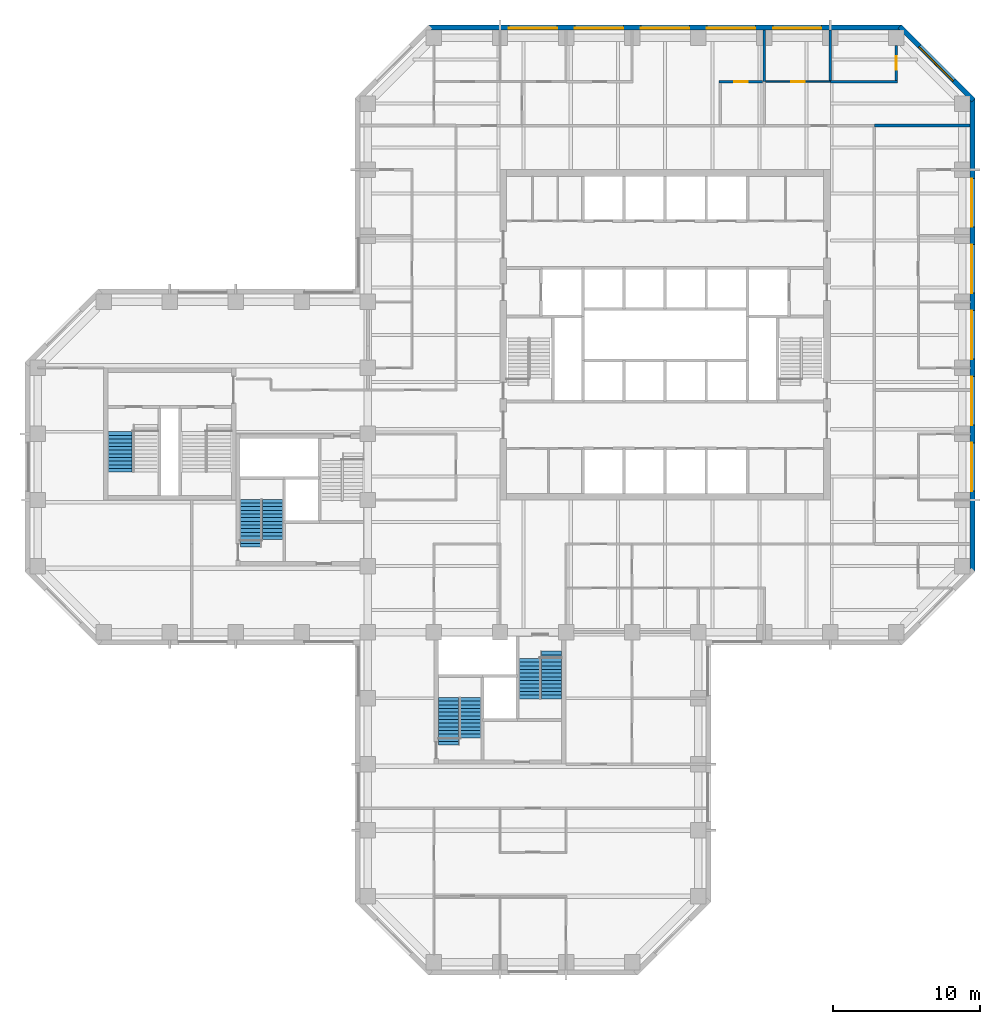
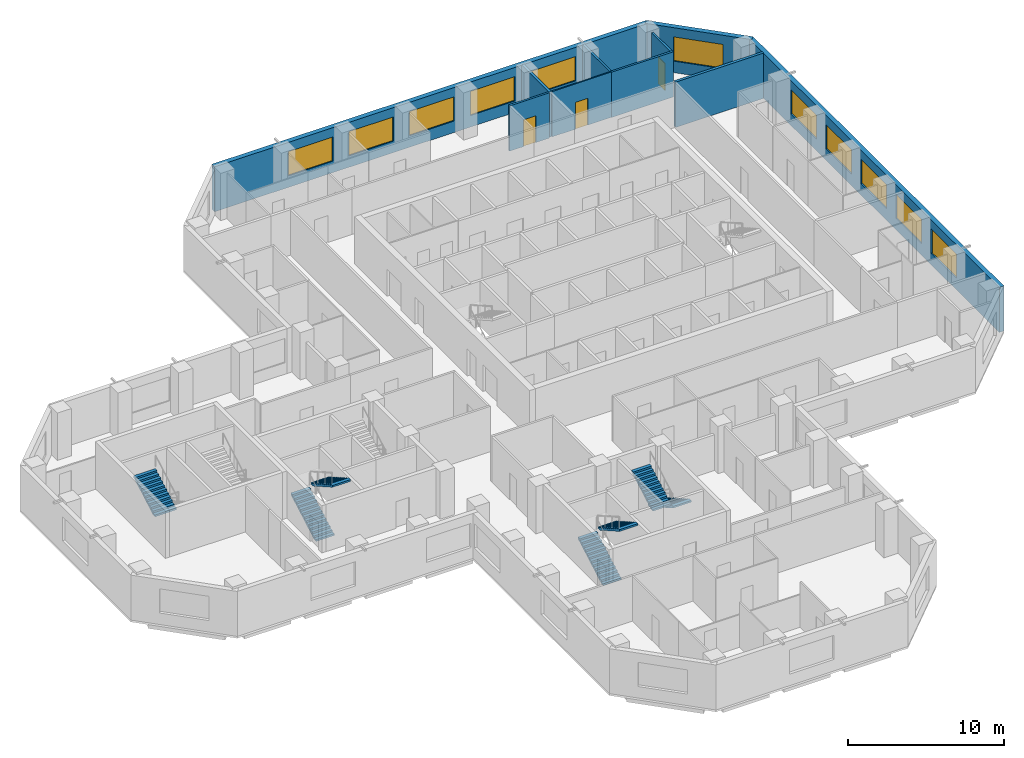
# One storey, part 9 of 11: 11 windows, 10 walls, 7 stair flights, 3 doors, 14 openings, 4 elements without a shape of their own.
"""IFC4 building model written with IfcOpenShell, lengths in metres."""

import ifcopenshell
import ifcopenshell.guid

model = None  # the IFC model being written
_history = None  # IfcOwnerHistory: only IFC2X3 demands one
_inside = {}  # id of a spatial element -> (the spatial element, [elements in it])
_under = {}  # id of a project, library or spatial element -> (it, [spatial elements below it])
_declared = {}  # id of a project -> (the project, [libraries it declares])
_typed = {}  # id of a type object -> (the type object, [elements of that type])
_made_of = {}  # id of a material, layer set ... -> (it, [elements and type objects made of it])


def new_model(schema):
    """Start an empty IFC model of exactly this schema.

    Asked for "IFC4X3", IfcOpenShell would pick the latest addendum, in which some entities
    have other attributes; the version numbers below select the first issue.
    IFC2X3 requires an IfcOwnerHistory on every rooted entity: one is made here for all.
    """
    global model, _history
    if schema == "IFC4X3":
        model = ifcopenshell.file(schema_version=(4, 3, 0, 0))
    else:
        model = ifcopenshell.file(schema=schema)
    _inside.clear()
    _under.clear()
    _declared.clear()
    _typed.clear()
    _made_of.clear()
    _history = None
    if model.schema == "IFC2X3":
        org = make("IfcOrganization", Name="unknown")
        user = make(
            "IfcPersonAndOrganization",
            ThePerson=make("IfcPerson", FamilyName="unknown"),
            TheOrganization=org,
        )
        app = make(
            "IfcApplication",
            ApplicationDeveloper=org,
            Version="unknown",
            ApplicationFullName="unknown",
            ApplicationIdentifier="unknown",
        )
        _history = make(
            "IfcOwnerHistory",
            OwningUser=user,
            OwningApplication=app,
            ChangeAction="ADDED",
            CreationDate=0,
        )
    return model


def make(cls, **values):
    """One entity of the class cls with the attributes given. An attribute that is None is left unset."""
    return model.create_entity(
        cls, **{name: value for name, value in values.items() if value is not None}
    )


def rooted(cls, **values):
    """An entity with a GlobalId (a new one), such as an element, a storey or a relation."""
    return make(cls, GlobalId=ifcopenshell.guid.new(), OwnerHistory=_history, **values)


def si_unit(unit_type, name, prefix=None):
    """IfcSIUnit, for example si_unit("LENGTHUNIT", "METRE", prefix="MILLI")."""
    return make("IfcSIUnit", UnitType=unit_type, Prefix=prefix, Name=name)


def assignment(units):
    """IfcUnitAssignment: the units of a project."""
    return None if units is None else make("IfcUnitAssignment", Units=units)


def point(xyz):
    """IfcCartesianPoint."""
    return None if xyz is None else make("IfcCartesianPoint", Coordinates=xyz)


def direction(xyz):
    """IfcDirection."""
    return None if xyz is None else make("IfcDirection", DirectionRatios=xyz)


def frame(location, z_axis=None, x_axis=None):
    """IfcAxis2Placement3D, a coordinate frame: its origin and axes. An axis left out is left unset."""
    return make(
        "IfcAxis2Placement3D",
        Location=point(location),
        Axis=direction(z_axis),
        RefDirection=direction(x_axis),
    )


def frame_2d(location, x_axis=None):
    """IfcAxis2Placement2D, a coordinate frame in the plane: its origin and x axis."""
    return make(
        "IfcAxis2Placement2D", Location=point(location), RefDirection=direction(x_axis)
    )


def origin():
    """The frame at (0, 0, 0) with its axes left unset."""
    return frame((0.0, 0.0, 0.0))


def place(relative_to, where):
    """IfcLocalPlacement: puts the frame where relative to a parent placement (None: the world)."""
    return make(
        "IfcLocalPlacement", PlacementRelTo=relative_to, RelativePlacement=where
    )


def context(
    kind, dimensions, precision=None, world=None, true_north=None, identifier=None
):
    """IfcGeometricRepresentationContext, for example the 3D "Model" context."""
    return make(
        "IfcGeometricRepresentationContext",
        ContextIdentifier=identifier,
        ContextType=kind,
        CoordinateSpaceDimension=dimensions,
        Precision=precision,
        WorldCoordinateSystem=world,
        TrueNorth=true_north,
    )


def subcontext(parent, identifier, kind, view, scale=None):
    """IfcGeometricRepresentationSubContext, for example "Body" below "Model"."""
    return make(
        "IfcGeometricRepresentationSubContext",
        ContextIdentifier=identifier,
        ContextType=kind,
        ParentContext=parent,
        TargetScale=scale,
        TargetView=view,
    )


def project(units=None, contexts=None):
    """IfcProject with its units and contexts."""
    return rooted(
        "IfcProject",
        Name="project",
        RepresentationContexts=contexts,
        UnitsInContext=assignment(units),
    )


def spatial(cls, under=None, at=None, **own):
    """A site, building, storey or space (cls), placed at a placement, below another one or the project."""
    s = rooted(cls, ObjectPlacement=at, **own)
    if under is not None:
        _under.setdefault(under.id(), (under, []))[1].append(s)
    return s


def polyline(points):
    """IfcPolyline through the points."""
    return make("IfcPolyline", Points=[point(p) for p in points])


def profile(cls, at=None, kind="AREA", **sizes):
    """A parametric profile (cls). Its sizes go by their IFC names, for example OverallWidth=200.0."""
    return make(cls, ProfileType=kind, Position=at, **sizes)


def rectangle(**sizes):
    """IfcRectangleProfileDef."""
    return profile("IfcRectangleProfileDef", **sizes)


def outline(outer, holes=None, kind="AREA"):
    """IfcArbitraryClosedProfileDef: a profile drawn as a closed curve; with holes, ...WithVoids."""
    if holes is None:
        return make("IfcArbitraryClosedProfileDef", ProfileType=kind, OuterCurve=outer)
    return make(
        "IfcArbitraryProfileDefWithVoids",
        ProfileType=kind,
        OuterCurve=outer,
        InnerCurves=holes,
    )


def extrude(swept, where, along, depth):
    """IfcExtrudedAreaSolid: the profile swept, set in the frame where, extruded along a direction by depth."""
    return make(
        "IfcExtrudedAreaSolid",
        SweptArea=swept,
        Position=where,
        ExtrudedDirection=direction(along),
        Depth=depth,
    )


def shape(context_of_items, identifier, shape_type, items):
    """IfcShapeRepresentation: the items that make up one representation, for example the "Body"."""
    return make(
        "IfcShapeRepresentation",
        ContextOfItems=context_of_items,
        RepresentationIdentifier=identifier,
        RepresentationType=shape_type,
        Items=items,
    )


def material(Name=None, Category=None):
    """IfcMaterial."""
    return make("IfcMaterial", Name=Name, Category=Category)


def layer(
    of_material, thickness, ventilated=None, Name=None, Category=None, Priority=None
):
    """IfcMaterialLayer: one layer of a wall or slab, of a material (None: an air gap)."""
    return make(
        "IfcMaterialLayer",
        Material=of_material,
        LayerThickness=thickness,
        IsVentilated=ventilated,
        Name=Name,
        Category=Category,
        Priority=Priority,
    )


def layer_set(layers, Name=None):
    """IfcMaterialLayerSet."""
    return make("IfcMaterialLayerSet", MaterialLayers=layers, LayerSetName=Name)


def constituent(of_material, Name=None, Category=None, fraction=None):
    """IfcMaterialConstituent: one of the materials an element consists of."""
    return make(
        "IfcMaterialConstituent",
        Name=Name,
        Material=of_material,
        Fraction=fraction,
        Category=Category,
    )


def constituent_set(constituents=None, Name=None):
    """IfcMaterialConstituentSet."""
    return make(
        "IfcMaterialConstituentSet", Name=Name, MaterialConstituents=constituents
    )


def made_of(thing, what):
    """Note that an element or type object is made of a material, layer set ...; save() writes the relation."""
    if what is not None:
        _made_of.setdefault(what.id(), (what, []))[1].append(thing)
    return thing


def type_object(cls, material=None, **own):
    """A type object (cls), such as IfcWallType, which elements share."""
    return made_of(rooted(cls, **own), material)


def element(
    cls,
    number,
    at=None,
    inside=None,
    cuts=None,
    type_object=None,
    material=None,
    context=None,
    identifier="Body",
    shape_type=None,
    held_by="IfcProductDefinitionShape",
    body=None,
    shapes=None,
    **own,
):
    """One element of the class cls, such as IfcWall. Its Tag is "e" and its number.

    at: its placement. inside: the storey or other place that contains it. cuts: it is an
    opening in that element (IfcRelVoidsElement). A single representation is given by context,
    identifier, shape_type and body (its items); several are given by shapes. held_by: the class
    of the entity that holds the representations. save() writes the other relations.
    """
    e = rooted(cls, Tag="e%d" % number, ObjectPlacement=at, **own)
    if body is not None:
        shapes = [shape(context, identifier, shape_type, body)]
    if shapes is not None:
        e.Representation = make(held_by, Representations=shapes)
    if inside is not None:
        _inside.setdefault(inside.id(), (inside, []))[1].append(e)
    if cuts is not None:
        rooted(
            "IfcRelVoidsElement", RelatingBuildingElement=cuts, RelatedOpeningElement=e
        )
    if type_object is not None:
        _typed.setdefault(type_object.id(), (type_object, []))[1].append(e)
    return made_of(e, material)


def fill(opening, filler):
    """IfcRelFillsElement: the door or window that sits in an opening."""
    return rooted(
        "IfcRelFillsElement",
        RelatingOpeningElement=opening,
        RelatedBuildingElement=filler,
    )


def aggregate(whole, parts):
    """IfcRelAggregates: a whole, such as a stair, and the parts it consists of."""
    return rooted("IfcRelAggregates", RelatingObject=whole, RelatedObjects=parts)


def save(model, path):
    """Write the relations noted so far, then the file.

    IfcRelAggregates (storeys below a building ...), IfcRelContainedInSpatialStructure (elements
    in a storey), IfcRelDefinesByType, IfcRelAssociatesMaterial and IfcRelDeclares: one each for
    every whole, place, type object, material and project.
    """
    for whole, parts in _under.values():
        aggregate(whole, parts)
    for where, things in _inside.values():
        rooted(
            "IfcRelContainedInSpatialStructure",
            RelatedElements=things,
            RelatingStructure=where,
        )
    for kind, things in _typed.values():
        rooted("IfcRelDefinesByType", RelatedObjects=things, RelatingType=kind)
    for what, things in _made_of.values():
        rooted("IfcRelAssociatesMaterial", RelatedObjects=things, RelatingMaterial=what)
    for by, libraries in _declared.values():
        rooted("IfcRelDeclares", RelatingContext=by, RelatedDefinitions=libraries)
    model.write(path)


model = new_model("IFC4")

# Units and contexts
model_context = context("Model", 3, precision=1e-05, world=origin(), true_north=direction((0.0, 1.0)))
body_context = subcontext(model_context, "Body", "Model", "MODEL_VIEW")
ifc_project = project(units=[si_unit("LENGTHUNIT", "METRE"), si_unit("AREAUNIT", "SQUARE_METRE"), si_unit("VOLUMEUNIT", "CUBIC_METRE"), si_unit("PLANEANGLEUNIT", "RADIAN"), si_unit("MASSUNIT", "GRAM", prefix="KILO")], contexts=[model_context])

# Site, building, storey
site_placement = place(None, origin())
site = spatial("IfcSite", under=ifc_project, at=site_placement, CompositionType="ELEMENT")
building_placement = place(site_placement, origin())
building = spatial("IfcBuilding", under=site, at=building_placement, Name="Quoin Convention Tower", CompositionType="ELEMENT")
storey_placement = place(building_placement, frame((0.0, 0.0, 108.5)))
storey = spatial("IfcBuildingStorey", under=building, at=storey_placement, Name="L28", CompositionType="ELEMENT", Elevation=108.5)

# Walls
ifc_material_1 = material(Name="Plasterboard")
ifc_layer_1 = layer(ifc_material_1, 0.012451171875, Name="Finish")
ifc_material_2 = material(Name="Steel stud framing", Category="steel")
ifc_layer_2 = layer(ifc_material_2, 0.125, Name="Structure")
ifc_layer_3 = layer(ifc_material_1, 0.012451171875, Name="Finish")
ifc_layer_set_1 = layer_set([ifc_layer_1, ifc_layer_2, ifc_layer_3], Name="Steel stud framing")
wall_type_1 = type_object("IfcWallType", Name="Acoustic partition 150", PredefinedType="PARTITIONING", material=ifc_layer_set_1)
wall_1_placement = place(storey_placement, frame((67.5, 78.0, 0.0), z_axis=(0.0, 0.0, 1.0), x_axis=(1.0, 0.0, 0.0)))
element("IfcWall", 1, at=wall_1_placement, inside=storey, type_object=wall_type_1, Name="pw-L28-062", PredefinedType="PARTITIONING", context=body_context, shape_type="SweptSolid", body=[
    extrude(rectangle(XDim=4.574951171875, YDim=0.14990234375, at=frame_2d((2.28759765625, 0.0))), origin(), (0.0, 0.0, 1.0), 3.550048828125),
])
wall_2_placement = place(storey_placement, frame((67.5, 78.074951171875, 0.0), z_axis=(0.0, 0.0, 1.0), x_axis=(0.0, 1.0, 0.0)))
element("IfcWall", 2, at=wall_2_placement, inside=storey, type_object=wall_type_1, Name="pw-L28-119", PredefinedType="PARTITIONING", context=body_context, shape_type="SweptSolid", body=[
    extrude(rectangle(XDim=3.449951171875, YDim=0.14990234375, at=frame_2d((1.72509765625, 0.0))), origin(), (0.0, 0.0, 1.0), 3.550048828125),
])

# Wall, opening, door
wall_3_placement = place(storey_placement, frame((72.0, 78.074951171875, 0.0), z_axis=(0.0, 0.0, 1.0), x_axis=(0.0, 1.0, 0.0)))
wall_3 = element("IfcWall", 3, at=wall_3_placement, inside=storey, type_object=wall_type_1, Name="pw-L28-120", PredefinedType="PARTITIONING", context=body_context, shape_type="SweptSolid", body=[
    extrude(rectangle(XDim=2.400146484375, YDim=0.14990234375, at=frame_2d((1.2001953125, 0.0))), origin(), (0.0, 0.0, 1.0), 3.550048828125),
])
opening_1_placement = place(wall_3_placement, frame((0.75, 0.0, 0.0)))
opening_1 = element("IfcOpeningElement", 4, at=opening_1_placement, cuts=wall_3, Name="Opening DOL5-38", PredefinedType="OPENING", context=body_context, shape_type="SweptSolid", body=[
    extrude(rectangle(XDim=0.89990234375, YDim=2.10009765625, at=frame_2d((0.449951171875, 1.050048828125))), frame((0.0, 0.0849609375, 0.0), z_axis=(0.0, -1.0, 0.0), x_axis=(1.0, 0.0, 0.0)), (0.0, 0.0, 1.0), 0.169921875),
])
ifc_material_3 = material(Name="Steel door leaf", Category="steel")
door_type = type_object("IfcDoorType", Name="Office door 900 x 2100", OperationType="SINGLE_SWING_RIGHT", PredefinedType="DOOR", material=ifc_material_3)
door_1_placement = place(opening_1_placement, frame((0.89990234375, 0.0, 0.0), z_axis=(0.0, 0.0, 1.0), x_axis=(-1.0, 0.0, 0.0)))
door_1 = element("IfcDoor", 5, at=door_1_placement, inside=storey, type_object=door_type, Name="dr-L28-48", OperationType="SINGLE_SWING_LEFT", OverallHeight=2.10009765625, OverallWidth=0.89990234375, PredefinedType="DOOR", context=body_context, shape_type="SweptSolid", body=[
    extrude(rectangle(XDim=0.89990234375, YDim=2.10009765625, at=frame_2d((0.449951171875, 1.050048828125))), frame((0.0, 0.02490234375, 0.0), z_axis=(0.0, -1.0, 0.0), x_axis=(1.0, 0.0, 0.0)), (0.0, 0.0, 1.0), 0.050048828125),
])
fill(opening_1, door_1)

# Wall, openings, windows
ifc_material_4 = material(Name="Brick masonry", Category="masonry")
ifc_layer_4 = layer(ifc_material_4, 0.35009765625)
ifc_layer_set_2 = layer_set([ifc_layer_4], Name="Brick masonry")
wall_type_2 = type_object("IfcWallType", Name="Brick facade wall", PredefinedType="STANDARD", material=ifc_layer_set_2)
wall_4_placement = place(storey_placement, frame((77.199951171875, 44.6376953125, 0.0), z_axis=(0.0, 0.0, 1.0), x_axis=(0.0, 1.0, 0.0)))
wall_4 = element("IfcWall", 6, at=wall_4_placement, inside=storey, type_object=wall_type_2, Name="fw-L28-76500_45000", PredefinedType="STANDARD", context=body_context, shape_type="SweptSolid", body=[
    extrude(rectangle(XDim=32.224609375, YDim=0.35009765625, at=frame_2d((16.1123046875, 0.0))), origin(), (0.0, 0.0, 1.0), 3.52490234375),
])
opening_2_placement = place(wall_4_placement, frame((5.46240234375, 0.0, 0.89990234375)))
opening_2 = element("IfcOpeningElement", 7, at=opening_2_placement, cuts=wall_4, Name="Opening W-02", PredefinedType="OPENING", context=body_context, shape_type="SweptSolid", body=[
    extrude(rectangle(XDim=3.300048828125, YDim=1.89990234375, at=frame_2d((1.64990234375, 0.949951171875))), frame((0.0, 0.18505859375, 0.0), z_axis=(0.0, -1.0, 0.0), x_axis=(1.0, 0.0, 0.0)), (0.0, 0.0, 1.0), 0.3701171875),
])
opening_3_placement = place(wall_4_placement, frame((9.96240234375, 0.0, 0.89990234375)))
opening_3 = element("IfcOpeningElement", 8, at=opening_3_placement, cuts=wall_4, Name="Opening W-02", PredefinedType="OPENING", context=body_context, shape_type="SweptSolid", body=[
    extrude(rectangle(XDim=3.300048828125, YDim=1.89990234375, at=frame_2d((1.64990234375, 0.949951171875))), frame((0.0, 0.18505859375, 0.0), z_axis=(0.0, -1.0, 0.0), x_axis=(1.0, 0.0, 0.0)), (0.0, 0.0, 1.0), 0.3701171875),
])
opening_4_placement = place(wall_4_placement, frame((14.46240234375, 0.0, 0.89990234375)))
opening_4 = element("IfcOpeningElement", 9, at=opening_4_placement, cuts=wall_4, Name="Opening W-02", PredefinedType="OPENING", context=body_context, shape_type="SweptSolid", body=[
    extrude(rectangle(XDim=3.300048828125, YDim=1.89990234375, at=frame_2d((1.64990234375, 0.949951171875))), frame((0.0, 0.18505859375, 0.0), z_axis=(0.0, -1.0, 0.0), x_axis=(1.0, 0.0, 0.0)), (0.0, 0.0, 1.0), 0.3701171875),
])
opening_5_placement = place(wall_4_placement, frame((18.96240234375, 0.0, 0.89990234375)))
opening_5 = element("IfcOpeningElement", 10, at=opening_5_placement, cuts=wall_4, Name="Opening W-02", PredefinedType="OPENING", context=body_context, shape_type="SweptSolid", body=[
    extrude(rectangle(XDim=3.300048828125, YDim=1.89990234375, at=frame_2d((1.64990234375, 0.949951171875))), frame((0.0, 0.18505859375, 0.0), z_axis=(0.0, -1.0, 0.0), x_axis=(1.0, 0.0, 0.0)), (0.0, 0.0, 1.0), 0.3701171875),
])
opening_6_placement = place(wall_4_placement, frame((23.46240234375, 0.0, 0.89990234375)))
opening_6 = element("IfcOpeningElement", 11, at=opening_6_placement, cuts=wall_4, Name="Opening W-02", PredefinedType="OPENING", context=body_context, shape_type="SweptSolid", body=[
    extrude(rectangle(XDim=3.300048828125, YDim=1.89990234375, at=frame_2d((1.64990234375, 0.949951171875))), frame((0.0, 0.18505859375, 0.0), z_axis=(0.0, -1.0, 0.0), x_axis=(1.0, 0.0, 0.0)), (0.0, 0.0, 1.0), 0.3701171875),
])
ifc_material_5 = material(Name="Aluminium", Category="aluminium")
ifc_constituent_1 = constituent(ifc_material_5, Name="Frame")
ifc_material_6 = material(Name="Insulated glass", Category="glass")
ifc_constituent_2 = constituent(ifc_material_6, Name="Glazing")
ifc_constituent_set = constituent_set(constituents=[ifc_constituent_1, ifc_constituent_2], Name="Aluminium")
window_type = type_object("IfcWindowType", Name="Office window", PartitioningType="DOUBLE_PANEL_VERTICAL", PredefinedType="WINDOW", material=ifc_constituent_set)
window_1_placement = place(opening_2_placement, origin())
window_1 = element("IfcWindow", 12, at=window_1_placement, inside=storey, type_object=window_type, Name="win-L28-77200_51750", OverallHeight=1.89990234375, OverallWidth=3.300048828125, PartitioningType="SINGLE_PANEL", PredefinedType="WINDOW", context=body_context, shape_type="SweptSolid", body=[
    extrude(rectangle(XDim=3.300048828125, YDim=1.89990234375, at=frame_2d((1.64990234375, 0.949951171875))), frame((0.0, 0.0849609375, 0.0), z_axis=(0.0, -1.0, 0.0), x_axis=(1.0, 0.0, 0.0)), (0.0, 0.0, 1.0), 0.06005859375),
])
fill(opening_2, window_1)
window_2_placement = place(opening_3_placement, origin())
window_2 = element("IfcWindow", 13, at=window_2_placement, inside=storey, type_object=window_type, Name="win-L28-77200_56250", OverallHeight=1.89990234375, OverallWidth=3.300048828125, PartitioningType="SINGLE_PANEL", PredefinedType="WINDOW", context=body_context, shape_type="SweptSolid", body=[
    extrude(rectangle(XDim=3.300048828125, YDim=1.89990234375, at=frame_2d((1.64990234375, 0.949951171875))), frame((0.0, 0.0849609375, 0.0), z_axis=(0.0, -1.0, 0.0), x_axis=(1.0, 0.0, 0.0)), (0.0, 0.0, 1.0), 0.06005859375),
])
fill(opening_3, window_2)
window_3_placement = place(opening_4_placement, origin())
window_3 = element("IfcWindow", 14, at=window_3_placement, inside=storey, type_object=window_type, Name="win-L28-77200_60750", OverallHeight=1.89990234375, OverallWidth=3.300048828125, PartitioningType="SINGLE_PANEL", PredefinedType="WINDOW", context=body_context, shape_type="SweptSolid", body=[
    extrude(rectangle(XDim=3.300048828125, YDim=1.89990234375, at=frame_2d((1.64990234375, 0.949951171875))), frame((0.0, 0.0849609375, 0.0), z_axis=(0.0, -1.0, 0.0), x_axis=(1.0, 0.0, 0.0)), (0.0, 0.0, 1.0), 0.06005859375),
])
fill(opening_4, window_3)
window_4_placement = place(opening_5_placement, origin())
window_4 = element("IfcWindow", 15, at=window_4_placement, inside=storey, type_object=window_type, Name="win-L28-77200_65250", OverallHeight=1.89990234375, OverallWidth=3.300048828125, PartitioningType="SINGLE_PANEL", PredefinedType="WINDOW", context=body_context, shape_type="SweptSolid", body=[
    extrude(rectangle(XDim=3.300048828125, YDim=1.89990234375, at=frame_2d((1.64990234375, 0.949951171875))), frame((0.0, 0.0849609375, 0.0), z_axis=(0.0, -1.0, 0.0), x_axis=(1.0, 0.0, 0.0)), (0.0, 0.0, 1.0), 0.06005859375),
])
fill(opening_5, window_4)
window_5_placement = place(opening_6_placement, origin())
window_5 = element("IfcWindow", 16, at=window_5_placement, inside=storey, type_object=window_type, Name="win-L28-77200_69750", OverallHeight=1.89990234375, OverallWidth=3.300048828125, PartitioningType="SINGLE_PANEL", PredefinedType="WINDOW", context=body_context, shape_type="SweptSolid", body=[
    extrude(rectangle(XDim=3.300048828125, YDim=1.89990234375, at=frame_2d((1.64990234375, 0.949951171875))), frame((0.0, 0.0849609375, 0.0), z_axis=(0.0, -1.0, 0.0), x_axis=(1.0, 0.0, 0.0)), (0.0, 0.0, 1.0), 0.06005859375),
])
fill(opening_6, window_5)

# Wall, opening, window
wall_5_placement = place(storey_placement, frame((77.251220703125, 76.73876953125, 0.0), z_axis=(0.0, 0.0, 1.0), x_axis=(-0.707106781187, 0.707106781187, 0.0)))
wall_5 = element("IfcWall", 17, at=wall_5_placement, inside=storey, type_object=wall_type_2, Name="fw-L28-76500_76500", PredefinedType="STANDARD", context=body_context, shape_type="SweptSolid", body=[
    extrude(rectangle(XDim=7.088623046875, YDim=0.35009765625, at=frame_2d((3.54443359375, 0.0))), origin(), (0.0, 0.0, 1.0), 3.52490234375),
])
opening_7_placement = place(wall_5_placement, frame((1.894287109375, 0.0, 0.89990234375)))
opening_7 = element("IfcOpeningElement", 18, at=opening_7_placement, cuts=wall_5, Name="Opening W-02", PredefinedType="OPENING", context=body_context, shape_type="SweptSolid", body=[
    extrude(rectangle(XDim=3.300048828125, YDim=1.89990234375, at=frame_2d((1.64990234375, 0.949951171875))), frame((0.0, 0.18505859375, 0.0), z_axis=(0.0, -1.0, 0.0), x_axis=(1.0, 0.0, 0.0)), (0.0, 0.0, 1.0), 0.3701171875),
])
window_6_placement = place(opening_7_placement, origin())
window_6 = element("IfcWindow", 19, at=window_6_placement, inside=storey, type_object=window_type, Name="win-L28-74745_79245", OverallHeight=1.89990234375, OverallWidth=3.300048828125, PartitioningType="SINGLE_PANEL", PredefinedType="WINDOW", context=body_context, shape_type="SweptSolid", body=[
    extrude(rectangle(XDim=3.300048828125, YDim=1.89990234375, at=frame_2d((1.64990234375, 0.949951171875))), frame((0.0, 0.0849609375, 0.0), z_axis=(0.0, -1.0, 0.0), x_axis=(1.0, 0.0, 0.0)), (0.0, 0.0, 1.0), 0.06005859375),
])
fill(opening_7, window_6)

# Wall, openings, windows
wall_6_placement = place(storey_placement, frame((72.3623046875, 81.699951171875, 0.0), z_axis=(0.0, 0.0, 1.0), x_axis=(-1.0, 0.0, 0.0)))
wall_6 = element("IfcWall", 20, at=wall_6_placement, inside=storey, type_object=wall_type_2, Name="fw-L28-72000_81000", PredefinedType="STANDARD", context=body_context, shape_type="SweptSolid", body=[
    extrude(rectangle(XDim=32.224609375, YDim=0.35009765625, at=frame_2d((16.1123046875, 0.0))), origin(), (0.0, 0.0, 1.0), 3.52490234375),
])
opening_8_placement = place(wall_6_placement, frame((5.46240234375, 0.0, 0.89990234375)))
opening_8 = element("IfcOpeningElement", 21, at=opening_8_placement, cuts=wall_6, Name="Opening W-02", PredefinedType="OPENING", context=body_context, shape_type="SweptSolid", body=[
    extrude(rectangle(XDim=3.300048828125, YDim=1.89990234375, at=frame_2d((1.64990234375, 0.949951171875))), frame((0.0, 0.18505859375, 0.0), z_axis=(0.0, -1.0, 0.0), x_axis=(1.0, 0.0, 0.0)), (0.0, 0.0, 1.0), 0.3701171875),
])
opening_9_placement = place(wall_6_placement, frame((9.96240234375, 0.0, 0.89990234375)))
opening_9 = element("IfcOpeningElement", 22, at=opening_9_placement, cuts=wall_6, Name="Opening W-02", PredefinedType="OPENING", context=body_context, shape_type="SweptSolid", body=[
    extrude(rectangle(XDim=3.300048828125, YDim=1.89990234375, at=frame_2d((1.64990234375, 0.949951171875))), frame((0.0, 0.18505859375, 0.0), z_axis=(0.0, -1.0, 0.0), x_axis=(1.0, 0.0, 0.0)), (0.0, 0.0, 1.0), 0.3701171875),
])
opening_10_placement = place(wall_6_placement, frame((14.46240234375, 0.0, 0.89990234375)))
opening_10 = element("IfcOpeningElement", 23, at=opening_10_placement, cuts=wall_6, Name="Opening W-02", PredefinedType="OPENING", context=body_context, shape_type="SweptSolid", body=[
    extrude(rectangle(XDim=3.300048828125, YDim=1.89990234375, at=frame_2d((1.64990234375, 0.949951171875))), frame((0.0, 0.18505859375, 0.0), z_axis=(0.0, -1.0, 0.0), x_axis=(1.0, 0.0, 0.0)), (0.0, 0.0, 1.0), 0.3701171875),
])
opening_11_placement = place(wall_6_placement, frame((18.96240234375, 0.0, 0.89990234375)))
opening_11 = element("IfcOpeningElement", 24, at=opening_11_placement, cuts=wall_6, Name="Opening W-02", PredefinedType="OPENING", context=body_context, shape_type="SweptSolid", body=[
    extrude(rectangle(XDim=3.300048828125, YDim=1.89990234375, at=frame_2d((1.64990234375, 0.949951171875))), frame((0.0, 0.18505859375, 0.0), z_axis=(0.0, -1.0, 0.0), x_axis=(1.0, 0.0, 0.0)), (0.0, 0.0, 1.0), 0.3701171875),
])
opening_12_placement = place(wall_6_placement, frame((23.46240234375, 0.0, 0.89990234375)))
opening_12 = element("IfcOpeningElement", 25, at=opening_12_placement, cuts=wall_6, Name="Opening W-02", PredefinedType="OPENING", context=body_context, shape_type="SweptSolid", body=[
    extrude(rectangle(XDim=3.300048828125, YDim=1.89990234375, at=frame_2d((1.64990234375, 0.949951171875))), frame((0.0, 0.18505859375, 0.0), z_axis=(0.0, -1.0, 0.0), x_axis=(1.0, 0.0, 0.0)), (0.0, 0.0, 1.0), 0.3701171875),
])
window_7_placement = place(opening_8_placement, origin())
window_7 = element("IfcWindow", 26, at=window_7_placement, inside=storey, type_object=window_type, Name="win-L28-65250_81700", OverallHeight=1.89990234375, OverallWidth=3.300048828125, PartitioningType="SINGLE_PANEL", PredefinedType="WINDOW", context=body_context, shape_type="SweptSolid", body=[
    extrude(rectangle(XDim=3.300048828125, YDim=1.89990234375, at=frame_2d((1.64990234375, 0.949951171875))), frame((0.0, 0.0849609375, 0.0), z_axis=(0.0, -1.0, 0.0), x_axis=(1.0, 0.0, 0.0)), (0.0, 0.0, 1.0), 0.06005859375),
])
fill(opening_8, window_7)
window_8_placement = place(opening_9_placement, origin())
window_8 = element("IfcWindow", 27, at=window_8_placement, inside=storey, type_object=window_type, Name="win-L28-60750_81700", OverallHeight=1.89990234375, OverallWidth=3.300048828125, PartitioningType="SINGLE_PANEL", PredefinedType="WINDOW", context=body_context, shape_type="SweptSolid", body=[
    extrude(rectangle(XDim=3.300048828125, YDim=1.89990234375, at=frame_2d((1.64990234375, 0.949951171875))), frame((0.0, 0.0849609375, 0.0), z_axis=(0.0, -1.0, 0.0), x_axis=(1.0, 0.0, 0.0)), (0.0, 0.0, 1.0), 0.06005859375),
])
fill(opening_9, window_8)
window_9_placement = place(opening_10_placement, origin())
window_9 = element("IfcWindow", 28, at=window_9_placement, inside=storey, type_object=window_type, Name="win-L28-56250_81700", OverallHeight=1.89990234375, OverallWidth=3.300048828125, PartitioningType="SINGLE_PANEL", PredefinedType="WINDOW", context=body_context, shape_type="SweptSolid", body=[
    extrude(rectangle(XDim=3.300048828125, YDim=1.89990234375, at=frame_2d((1.64990234375, 0.949951171875))), frame((0.0, 0.0849609375, 0.0), z_axis=(0.0, -1.0, 0.0), x_axis=(1.0, 0.0, 0.0)), (0.0, 0.0, 1.0), 0.06005859375),
])
fill(opening_10, window_9)
window_10_placement = place(opening_11_placement, origin())
window_10 = element("IfcWindow", 29, at=window_10_placement, inside=storey, type_object=window_type, Name="win-L28-51750_81700", OverallHeight=1.89990234375, OverallWidth=3.300048828125, PartitioningType="SINGLE_PANEL", PredefinedType="WINDOW", context=body_context, shape_type="SweptSolid", body=[
    extrude(rectangle(XDim=3.300048828125, YDim=1.89990234375, at=frame_2d((1.64990234375, 0.949951171875))), frame((0.0, 0.0849609375, 0.0), z_axis=(0.0, -1.0, 0.0), x_axis=(1.0, 0.0, 0.0)), (0.0, 0.0, 1.0), 0.06005859375),
])
fill(opening_11, window_10)
window_11_placement = place(opening_12_placement, origin())
window_11 = element("IfcWindow", 30, at=window_11_placement, inside=storey, type_object=window_type, Name="win-L28-47250_81700", OverallHeight=1.89990234375, OverallWidth=3.300048828125, PartitioningType="SINGLE_PANEL", PredefinedType="WINDOW", context=body_context, shape_type="SweptSolid", body=[
    extrude(rectangle(XDim=3.300048828125, YDim=1.89990234375, at=frame_2d((1.64990234375, 0.949951171875))), frame((0.0, 0.0849609375, 0.0), z_axis=(0.0, -1.0, 0.0), x_axis=(1.0, 0.0, 0.0)), (0.0, 0.0, 1.0), 0.06005859375),
])
fill(opening_12, window_11)

# Wall, opening, door
ifc_layer_5 = layer(ifc_material_1, 0.012451171875, Name="Finish")
ifc_layer_6 = layer(ifc_material_2, 0.074951171875, Name="Structure")
ifc_layer_7 = layer(ifc_material_1, 0.012451171875, Name="Finish")
ifc_layer_set_3 = layer_set([ifc_layer_5, ifc_layer_6, ifc_layer_7], Name="Steel stud framing")
wall_type_3 = type_object("IfcWallType", Name="Stud partition 100", PredefinedType="PARTITIONING", material=ifc_layer_set_3)
wall_7_placement = place(storey_placement, frame((63.10009765625, 78.0, 0.0), z_axis=(0.0, 0.0, 1.0), x_axis=(1.0, 0.0, 0.0)))
wall_7 = element("IfcWall", 31, at=wall_7_placement, inside=storey, type_object=wall_type_3, Name="pw-L28-061", PredefinedType="PARTITIONING", context=body_context, shape_type="SweptSolid", body=[
    extrude(rectangle(XDim=4.39990234375, YDim=0.10009765625, at=frame_2d((2.199951171875, 0.0))), origin(), (0.0, 0.0, 1.0), 3.550048828125),
])
opening_13_placement = place(wall_7_placement, frame((1.75, 0.0, 0.0)))
opening_13 = element("IfcOpeningElement", 32, at=opening_13_placement, cuts=wall_7, Name="Opening DOL5-23", PredefinedType="OPENING", context=body_context, shape_type="SweptSolid", body=[
    extrude(rectangle(XDim=0.89990234375, YDim=2.10009765625, at=frame_2d((0.449951171875, 1.050048828125))), frame((0.0, 0.06005859375, 0.0), z_axis=(0.0, -1.0, 0.0), x_axis=(1.0, 0.0, 0.0)), (0.0, 0.0, 1.0), 0.1201171875),
])
door_2_placement = place(opening_13_placement, frame((0.89990234375, 0.0, 0.0), z_axis=(0.0, 0.0, 1.0), x_axis=(-1.0, 0.0, 0.0)))
door_2 = element("IfcDoor", 33, at=door_2_placement, inside=storey, type_object=door_type, Name="dr-L28-47", OperationType="SINGLE_SWING_LEFT", OverallHeight=2.10009765625, OverallWidth=0.89990234375, PredefinedType="DOOR", context=body_context, shape_type="SweptSolid", body=[
    extrude(rectangle(XDim=0.89990234375, YDim=2.10009765625, at=frame_2d((0.449951171875, 1.050048828125))), frame((0.0, 0.02490234375, 0.0), z_axis=(0.0, -1.0, 0.0), x_axis=(1.0, 0.0, 0.0)), (0.0, 0.0, 1.0), 0.050048828125),
])
fill(opening_13, door_2)

# Walls
ifc_layer_8 = layer(ifc_material_1, 0.012451171875, Name="Finish")
ifc_layer_9 = layer(ifc_material_2, 0.175048828125, Name="Structure")
ifc_layer_10 = layer(ifc_material_1, 0.012451171875, Name="Finish")
ifc_layer_set_4 = layer_set([ifc_layer_8, ifc_layer_9, ifc_layer_10], Name="Steel stud framing")
wall_type_4 = type_object("IfcWallType", Name="Tenancy demising wall 200", PredefinedType="PARTITIONING", material=ifc_layer_set_4)
wall_8_placement = place(storey_placement, frame((70.5, 75.0, 0.0), z_axis=(0.0, 0.0, 1.0), x_axis=(1.0, 0.0, 0.0)))
element("IfcWall", 34, at=wall_8_placement, inside=storey, type_object=wall_type_4, Name="pw-L28-055", PredefinedType="PARTITIONING", context=body_context, shape_type="SweptSolid", body=[
    extrude(rectangle(XDim=6.52490234375, YDim=0.199951171875, at=frame_2d((3.262451171875, 0.0))), origin(), (0.0, 0.0, 1.0), 3.550048828125),
])
wall_9_placement = place(storey_placement, frame((63.0, 78.0, 0.0), z_axis=(0.0, 0.0, 1.0), x_axis=(0.0, 1.0, 0.0)))
element("IfcWall", 35, at=wall_9_placement, inside=storey, type_object=wall_type_4, Name="pw-L28-115", PredefinedType="PARTITIONING", context=body_context, shape_type="SweptSolid", body=[
    extrude(rectangle(XDim=3.52490234375, YDim=0.199951171875, at=frame_2d((1.762451171875, 0.0))), origin(), (0.0, 0.0, 1.0), 3.550048828125),
])

# Wall, opening, door
ifc_layer_11 = layer(ifc_material_1, 0.012451171875, Name="Finish")
ifc_layer_12 = layer(ifc_material_2, 0.125, Name="Structure")
ifc_layer_13 = layer(ifc_material_1, 0.012451171875, Name="Finish")
ifc_layer_set_5 = layer_set([ifc_layer_11, ifc_layer_12, ifc_layer_13], Name="Steel stud framing")
wall_type_5 = type_object("IfcWallType", Name="Wet area partition 150", PredefinedType="PARTITIONING", material=ifc_layer_set_5)
wall_10_placement = place(storey_placement, frame((59.925048828125, 78.0, 0.0), z_axis=(0.0, 0.0, 1.0), x_axis=(1.0, 0.0, 0.0)))
wall_10 = element("IfcWall", 36, at=wall_10_placement, inside=storey, type_object=wall_type_5, Name="pw-L28-060", PredefinedType="PARTITIONING", context=body_context, shape_type="SweptSolid", body=[
    extrude(rectangle(XDim=2.974853515625, YDim=0.14990234375, at=frame_2d((1.4873046875, 0.0))), origin(), (0.0, 0.0, 1.0), 3.550048828125),
])
opening_14_placement = place(wall_10_placement, frame((1.050048828125, 0.0, 0.0)))
opening_14 = element("IfcOpeningElement", 37, at=opening_14_placement, cuts=wall_10, Name="Opening DOL5-22", PredefinedType="OPENING", context=body_context, shape_type="SweptSolid", body=[
    extrude(rectangle(XDim=0.89990234375, YDim=2.10009765625, at=frame_2d((0.449951171875, 1.050048828125))), frame((0.0, 0.0849609375, 0.0), z_axis=(0.0, -1.0, 0.0), x_axis=(1.0, 0.0, 0.0)), (0.0, 0.0, 1.0), 0.169921875),
])
door_3_placement = place(opening_14_placement, origin())
door_3 = element("IfcDoor", 38, at=door_3_placement, inside=storey, type_object=door_type, Name="dr-L28-36", OperationType="SINGLE_SWING_RIGHT", OverallHeight=2.10009765625, OverallWidth=0.89990234375, PredefinedType="DOOR", context=body_context, shape_type="SweptSolid", body=[
    extrude(rectangle(XDim=0.89990234375, YDim=2.10009765625, at=frame_2d((0.449951171875, 1.050048828125))), frame((0.0, 0.02490234375, 0.0), z_axis=(0.0, -1.0, 0.0), x_axis=(1.0, 0.0, 0.0)), (0.0, 0.0, 1.0), 0.050048828125),
])
fill(opening_14, door_3)

# Stair, stair flights
ifc_material_7 = material(Name="Concrete C40", Category="concrete")
stair_type_1 = type_object("IfcStairType", Name="Exit stair two-flight 1350", PredefinedType="HALF_TURN_STAIR", material=ifc_material_7)
stair_1_placement = place(storey_placement, origin())
stair_1 = element("IfcStair", 39, at=stair_1_placement, inside=storey, type_object=stair_type_1, Name="SD3 L28", PredefinedType="HALF_TURN_STAIR")
stair_flight_type_1 = type_object("IfcStairFlightType", Name="Stair flight 1350", PredefinedType="STRAIGHT", material=ifc_material_7)
stair_flight_1_placement = place(storey_placement, frame((28.0, 46.300048828125, 0.0), z_axis=(0.0, 0.0, 1.0), x_axis=(0.0, 1.0, 0.0)))
stair_flight_1 = element("IfcStairFlight", 40, at=stair_flight_1_placement, type_object=stair_flight_type_1, Name="ST3 flight 1", NumberOfRisers=14, NumberOfTreads=13, PredefinedType="STRAIGHT", RiserHeight=0.142307692, TreadLength=0.25, context=body_context, shape_type="SweptSolid", body=[
    extrude(outline(polyline([(0.0, 0.0), (0.0, 0.142333984375), (0.25, 0.142333984375), (0.25, 0.28466796875), (0.5, 0.28466796875), (0.5, 0.427001953125), (0.75, 0.427001953125), (0.75, 0.5693359375), (1.0, 0.5693359375), (1.0, 0.71142578125), (1.25, 0.71142578125), (1.25, 0.853759765625), (1.5, 0.853759765625), (1.5, 0.99609375), (1.75, 0.99609375), (1.75, 1.138427734375), (2.0, 1.138427734375), (2.0, 1.28076171875), (2.25, 1.28076171875), (2.25, 1.423095703125), (2.5, 1.423095703125), (2.5, 1.5654296875), (2.75, 1.5654296875), (2.75, 1.707763671875), (3.0, 1.707763671875), (3.0, 1.85009765625), (3.25, 1.85009765625), (3.25, 1.9921875), (3.25, 1.711669921875), (0.242919921875, 0.0), (0.0, 0.0)])), frame((0.0, 0.675048828125, 0.0), z_axis=(0.0, -1.0, 0.0), x_axis=(1.0, 0.0, 0.0)), (0.0, 0.0, 1.0), 1.35009765625),
])
stair_flight_2_placement = place(storey_placement, frame((29.5, 49.550048828125, 1.9921875), z_axis=(0.0, 0.0, 1.0), x_axis=(0.0, -1.0, 0.0)))
stair_flight_2 = element("IfcStairFlight", 41, at=stair_flight_2_placement, type_object=stair_flight_type_1, Name="ST3 flight 2", NumberOfRisers=12, NumberOfTreads=11, PredefinedType="STRAIGHT", RiserHeight=0.142307692, TreadLength=0.25, context=body_context, shape_type="SweptSolid", body=[
    extrude(outline(polyline([(0.0, 0.0), (0.0, 0.142333984375), (0.25, 0.142333984375), (0.25, 0.28466796875), (0.5, 0.28466796875), (0.5, 0.427001953125), (0.75, 0.427001953125), (0.75, 0.5693359375), (1.0, 0.5693359375), (1.0, 0.71142578125), (1.25, 0.71142578125), (1.25, 0.853759765625), (1.5, 0.853759765625), (1.5, 0.99609375), (1.75, 0.99609375), (1.75, 1.138427734375), (2.0, 1.138427734375), (2.0, 1.28076171875), (2.25, 1.28076171875), (2.25, 1.423095703125), (2.5, 1.423095703125), (2.5, 1.5654296875), (2.75, 1.5654296875), (2.75, 1.707763671875), (2.75, 1.42724609375), (0.242919921875, 0.0), (0.0, 0.0)])), frame((0.0, 0.675048828125, 0.0), z_axis=(0.0, -1.0, 0.0), x_axis=(1.0, 0.0, 0.0)), (0.0, 0.0, 1.0), 1.35009765625),
])
aggregate(stair_1, [stair_flight_1, stair_flight_2])

stair_2_placement = place(storey_placement, origin())
stair_2 = element("IfcStair", 42, at=stair_2_placement, inside=storey, type_object=stair_type_1, Name="SD5 L28", PredefinedType="HALF_TURN_STAIR")
stair_flight_3_placement = place(storey_placement, frame((41.5, 32.800048828125, 0.0), z_axis=(0.0, 0.0, 1.0), x_axis=(0.0, 1.0, 0.0)))
stair_flight_3 = element("IfcStairFlight", 43, at=stair_flight_3_placement, type_object=stair_flight_type_1, Name="ST5 flight 1", NumberOfRisers=14, NumberOfTreads=13, PredefinedType="STRAIGHT", RiserHeight=0.142307692, TreadLength=0.25, context=body_context, shape_type="SweptSolid", body=[
    extrude(outline(polyline([(0.0, 0.0), (0.0, 0.142333984375), (0.25, 0.142333984375), (0.25, 0.28466796875), (0.5, 0.28466796875), (0.5, 0.427001953125), (0.75, 0.427001953125), (0.75, 0.5693359375), (1.0, 0.5693359375), (1.0, 0.71142578125), (1.25, 0.71142578125), (1.25, 0.853759765625), (1.5, 0.853759765625), (1.5, 0.99609375), (1.75, 0.99609375), (1.75, 1.138427734375), (2.0, 1.138427734375), (2.0, 1.28076171875), (2.25, 1.28076171875), (2.25, 1.423095703125), (2.5, 1.423095703125), (2.5, 1.5654296875), (2.75, 1.5654296875), (2.75, 1.707763671875), (3.0, 1.707763671875), (3.0, 1.85009765625), (3.25, 1.85009765625), (3.25, 1.9921875), (3.25, 1.711669921875), (0.242919921875, 0.0), (0.0, 0.0)])), frame((0.0, 0.675048828125, 0.0), z_axis=(0.0, -1.0, 0.0), x_axis=(1.0, 0.0, 0.0)), (0.0, 0.0, 1.0), 1.35009765625),
])
stair_flight_4_placement = place(storey_placement, frame((43.0, 36.050048828125, 1.9921875), z_axis=(0.0, 0.0, 1.0), x_axis=(0.0, -1.0, 0.0)))
stair_flight_4 = element("IfcStairFlight", 44, at=stair_flight_4_placement, type_object=stair_flight_type_1, Name="ST5 flight 2", NumberOfRisers=12, NumberOfTreads=11, PredefinedType="STRAIGHT", RiserHeight=0.142307692, TreadLength=0.25, context=body_context, shape_type="SweptSolid", body=[
    extrude(outline(polyline([(0.0, 0.0), (0.0, 0.142333984375), (0.25, 0.142333984375), (0.25, 0.28466796875), (0.5, 0.28466796875), (0.5, 0.427001953125), (0.75, 0.427001953125), (0.75, 0.5693359375), (1.0, 0.5693359375), (1.0, 0.71142578125), (1.25, 0.71142578125), (1.25, 0.853759765625), (1.5, 0.853759765625), (1.5, 0.99609375), (1.75, 0.99609375), (1.75, 1.138427734375), (2.0, 1.138427734375), (2.0, 1.28076171875), (2.25, 1.28076171875), (2.25, 1.423095703125), (2.5, 1.423095703125), (2.5, 1.5654296875), (2.75, 1.5654296875), (2.75, 1.707763671875), (2.75, 1.42724609375), (0.242919921875, 0.0), (0.0, 0.0)])), frame((0.0, 0.675048828125, 0.0), z_axis=(0.0, -1.0, 0.0), x_axis=(1.0, 0.0, 0.0)), (0.0, 0.0, 1.0), 1.35009765625),
])
aggregate(stair_2, [stair_flight_3, stair_flight_4])

stair_3_placement = place(storey_placement, origin())
stair_3 = element("IfcStair", 45, at=stair_3_placement, inside=storey, type_object=stair_type_1, Name="SD6 L28", PredefinedType="HALF_TURN_STAIR")
stair_flight_5_placement = place(storey_placement, frame((48.5, 39.199951171875, 0.0), z_axis=(0.0, 0.0, 1.0), x_axis=(0.0, -1.0, 0.0)))
stair_flight_5 = element("IfcStairFlight", 46, at=stair_flight_5_placement, type_object=stair_flight_type_1, Name="ST6 flight 1", NumberOfRisers=14, NumberOfTreads=13, PredefinedType="STRAIGHT", RiserHeight=0.142307692, TreadLength=0.25, context=body_context, shape_type="SweptSolid", body=[
    extrude(outline(polyline([(0.0, 0.0), (0.0, 0.142333984375), (0.25, 0.142333984375), (0.25, 0.28466796875), (0.5, 0.28466796875), (0.5, 0.427001953125), (0.75, 0.427001953125), (0.75, 0.5693359375), (1.0, 0.5693359375), (1.0, 0.71142578125), (1.25, 0.71142578125), (1.25, 0.853759765625), (1.5, 0.853759765625), (1.5, 0.99609375), (1.75, 0.99609375), (1.75, 1.138427734375), (2.0, 1.138427734375), (2.0, 1.28076171875), (2.25, 1.28076171875), (2.25, 1.423095703125), (2.5, 1.423095703125), (2.5, 1.5654296875), (2.75, 1.5654296875), (2.75, 1.707763671875), (3.0, 1.707763671875), (3.0, 1.85009765625), (3.25, 1.85009765625), (3.25, 1.9921875), (3.25, 1.711669921875), (0.242919921875, 0.0), (0.0, 0.0)])), frame((0.0, 0.675048828125, 0.0), z_axis=(0.0, -1.0, 0.0), x_axis=(1.0, 0.0, 0.0)), (0.0, 0.0, 1.0), 1.35009765625),
])
stair_flight_6_placement = place(storey_placement, frame((47.0, 35.949951171875, 1.9921875), z_axis=(0.0, 0.0, 1.0), x_axis=(0.0, 1.0, 0.0)))
stair_flight_6 = element("IfcStairFlight", 47, at=stair_flight_6_placement, type_object=stair_flight_type_1, Name="ST6 flight 2", NumberOfRisers=12, NumberOfTreads=11, PredefinedType="STRAIGHT", RiserHeight=0.142307692, TreadLength=0.25, context=body_context, shape_type="SweptSolid", body=[
    extrude(outline(polyline([(0.0, 0.0), (0.0, 0.142333984375), (0.25, 0.142333984375), (0.25, 0.28466796875), (0.5, 0.28466796875), (0.5, 0.427001953125), (0.75, 0.427001953125), (0.75, 0.5693359375), (1.0, 0.5693359375), (1.0, 0.71142578125), (1.25, 0.71142578125), (1.25, 0.853759765625), (1.5, 0.853759765625), (1.5, 0.99609375), (1.75, 0.99609375), (1.75, 1.138427734375), (2.0, 1.138427734375), (2.0, 1.28076171875), (2.25, 1.28076171875), (2.25, 1.423095703125), (2.5, 1.423095703125), (2.5, 1.5654296875), (2.75, 1.5654296875), (2.75, 1.707763671875), (2.75, 1.42724609375), (0.242919921875, 0.0), (0.0, 0.0)])), frame((0.0, 0.675048828125, 0.0), z_axis=(0.0, -1.0, 0.0), x_axis=(1.0, 0.0, 0.0)), (0.0, 0.0, 1.0), 1.35009765625),
])
aggregate(stair_3, [stair_flight_5, stair_flight_6])

# Stair, stair flight
stair_type_2 = type_object("IfcStairType", Name="Exit stair two-flight 1600", PredefinedType="HALF_TURN_STAIR", material=ifc_material_7)
stair_4_placement = place(storey_placement, origin())
stair_4 = element("IfcStair", 48, at=stair_4_placement, inside=storey, type_object=stair_type_2, Name="SD11 L28", PredefinedType="HALF_TURN_STAIR")
stair_flight_type_2 = type_object("IfcStairFlightType", Name="Stair flight 1600", PredefinedType="STRAIGHT", material=ifc_material_7)
stair_flight_7_placement = place(storey_placement, frame((19.125, 51.39990234375, 1.9921875), z_axis=(0.0, 0.0, 1.0), x_axis=(0.0, 1.0, 0.0)))
stair_flight_7 = element("IfcStairFlight", 49, at=stair_flight_7_placement, type_object=stair_flight_type_2, Name="ST11 flight 2", NumberOfRisers=12, NumberOfTreads=11, PredefinedType="STRAIGHT", RiserHeight=0.142307692, TreadLength=0.25, context=body_context, shape_type="SweptSolid", body=[
    extrude(outline(polyline([(0.0, 0.0), (0.0, 0.142333984375), (0.25, 0.142333984375), (0.25, 0.28466796875), (0.5, 0.28466796875), (0.5, 0.427001953125), (0.75, 0.427001953125), (0.75, 0.5693359375), (1.0, 0.5693359375), (1.0, 0.71142578125), (1.25, 0.71142578125), (1.25, 0.853759765625), (1.5, 0.853759765625), (1.5, 0.99609375), (1.75, 0.99609375), (1.75, 1.138427734375), (2.0, 1.138427734375), (2.0, 1.28076171875), (2.25, 1.28076171875), (2.25, 1.423095703125), (2.5, 1.423095703125), (2.5, 1.5654296875), (2.75, 1.5654296875), (2.75, 1.707763671875), (2.75, 1.42724609375), (0.242919921875, 0.0), (0.0, 0.0)])), frame((0.0, 0.800048828125, 0.0), z_axis=(0.0, -1.0, 0.0), x_axis=(1.0, 0.0, 0.0)), (0.0, 0.0, 1.0), 1.60009765625),
])
aggregate(stair_4, [stair_flight_7])

save(model, "model.ifc")
